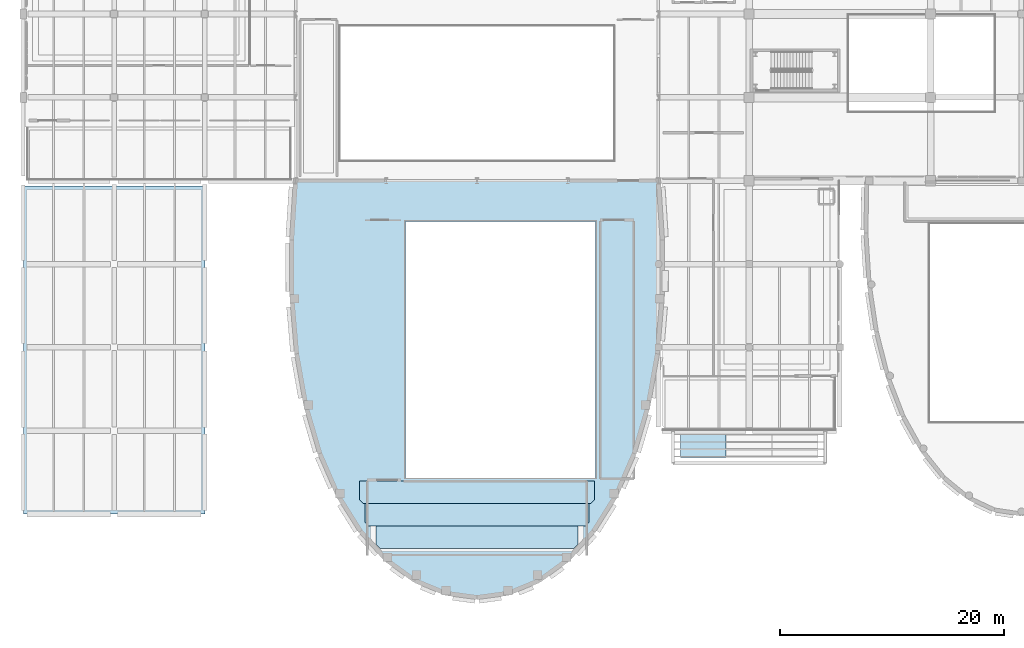
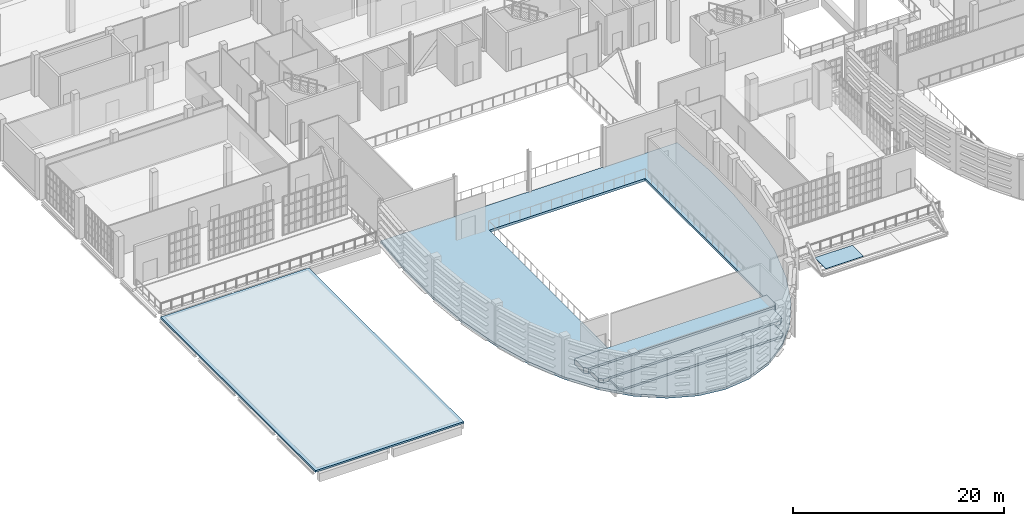
# One storey, part 67 of 104: 5 slabs, 1 plate.
"""IFC4 building model written with IfcOpenShell, lengths in metres."""

from ifc_helpers import new_model, si_unit, direction, frame, origin, origin_2d, place, context, subcontext, project, spatial, polyline, rectangle, outline, extrude, material, layer, layer_set, type_object, element, save


model = new_model("IFC4")

# Units and contexts
model_context = context("Model", 3, precision=1e-05, world=origin(), true_north=direction((0.0, 1.0)))
body_context = subcontext(model_context, "Body", "Model", "MODEL_VIEW")
ifc_project = project(units=[si_unit("LENGTHUNIT", "METRE"), si_unit("AREAUNIT", "SQUARE_METRE"), si_unit("VOLUMEUNIT", "CUBIC_METRE"), si_unit("PLANEANGLEUNIT", "RADIAN"), si_unit("MASSUNIT", "GRAM", prefix="KILO")], contexts=[model_context])

# Site, building, storey
site_placement = place(None, origin())
site = spatial("IfcSite", under=ifc_project, at=site_placement, CompositionType="ELEMENT")
building_placement = place(site_placement, origin())
building = spatial("IfcBuilding", under=site, at=building_placement, Name="Kaelora Sail Theatre", CompositionType="ELEMENT")
storey_placement = place(building_placement, frame((0.0, 0.0, 5.39990234375)))
storey = spatial("IfcBuildingStorey", under=building, at=storey_placement, Name="L01", CompositionType="ELEMENT", Elevation=5.39990234375)

# Plate
ifc_material_1 = material(Name="Laminated solar-control skylight glass", Category="glass")
ifc_layer_1 = layer(ifc_material_1, 0.035888671875)
ifc_layer_set_1 = layer_set([ifc_layer_1], Name="Laminated solar-control skylight glass")
plate_type = type_object("IfcPlateType", Name="ARC-PL-SKL-GLS-36", PredefinedType="USERDEFINED", material=ifc_layer_set_1)
plate_placement = place(storey_placement, frame((62.199951171875, 37.35009765625, -0.294921875), z_axis=(0.0, 0.0, 1.0), x_axis=(1.0, 0.0, 0.0)))
element("IfcPlate", 1, at=plate_placement, inside=storey, type_object=plate_type, Name="Grand Foyer Entrance Canopy Laminated Glass 1", ObjectType="SKYLIGHT PANEL", PredefinedType="USERDEFINED", context=body_context, shape_type="SweptSolid", body=[
    extrude(rectangle(XDim=4.10009765625, YDim=2.10009765625, at=origin_2d()), origin(), (0.0, 0.0, 1.0), 0.035888671875),
])

# Slabs
ifc_material_2 = material(Name="Concrete C40/50", Category="concrete")
ifc_layer_2 = layer(ifc_material_2, 0.280029296875)
ifc_layer_set_2 = layer_set([ifc_layer_2], Name="Concrete C40/50")
slab_type_1 = type_object("IfcSlabType", Name="STR-SLB-SL-FL280", PredefinedType="FLOOR", material=ifc_layer_set_2)
slab_1_placement = place(storey_placement, frame((0.0, 0.0, -0.27978515625)))
element("IfcSlab", 2, at=slab_1_placement, inside=storey, type_object=slab_type_1, Name="Main Theatre floor slab (L01)", PredefinedType="FLOOR", context=body_context, shape_type="SweptSolid", body=[
    extrude(outline(polyline([(58.199951171875, 61.02001953125), (58.542236328125, 55.725830078125), (58.516845703125, 50.53955078125), (58.096435546875, 45.566650390625), (57.265625, 40.908203125), (56.02490234375, 36.6591796875), (54.390380859375, 32.906005859375), (52.395751953125, 29.725341796875), (50.090087890625, 27.181640625), (47.537109375, 25.326904296875), (44.8125, 24.198486328125), (42.0, 23.820068359375), (39.1875, 24.198486328125), (36.462890625, 25.326904296875), (33.909912109375, 27.181640625), (31.604248046875, 29.725341796875), (29.609619140625, 32.906005859375), (27.97509765625, 36.6591796875), (26.734375, 40.908203125), (25.903564453125, 45.566650390625), (25.483154296875, 50.53955078125), (25.457763671875, 55.725830078125), (25.800048828125, 61.02001953125), (58.199951171875, 61.02001953125)]), holes=[polyline([(35.60009765625, 34.5), (52.60009765625, 34.5), (52.60009765625, 57.39990234375), (35.60009765625, 57.39990234375), (35.60009765625, 34.5)])]), origin(), (0.0, 0.0, 1.0), 0.27978515625),
])
ifc_material_3 = material(Name="Concrete C40/50", Category="concrete")
ifc_layer_3 = layer(ifc_material_3, 0.195068359375)
ifc_layer_set_3 = layer_set([ifc_layer_3], Name="Concrete C40/50")
slab_type_2 = type_object("IfcSlabType", Name="STR-SLB-SL-RF195", PredefinedType="ROOF", material=ifc_layer_set_3)
slab_2_placement = place(storey_placement, frame((0.0, 0.0, -0.19482421875)))
element("IfcSlab", 3, at=slab_2_placement, inside=storey, type_object=slab_type_2, Name="Flat wing roof slab RF-COL-WEST", PredefinedType="ROOF", context=body_context, shape_type="SweptSolid", body=[
    extrude(outline(polyline([(1.5, 60.550048828125), (17.699951171875, 60.550048828125), (17.699951171875, 31.260009765625), (1.5, 31.260009765625), (1.5, 60.550048828125)])), origin(), (0.0, 0.0, 1.0), 0.19482421875),
])
ifc_material_4 = material(Name="Precast concrete C45/55", Category="concrete")
ifc_layer_4 = layer(ifc_material_4, 0.159912109375)
ifc_layer_set_4 = layer_set([ifc_layer_4], Name="Precast concrete C45/55")
slab_type_3 = type_object("IfcSlabType", Name="STR-SLB-SL-ST160", PredefinedType="USERDEFINED", material=ifc_layer_set_4)
slab_3_placement = place(storey_placement, origin())
element("IfcSlab", 4, at=slab_3_placement, inside=storey, type_object=slab_type_3, Name="Auditorium seating tier ST-M07", ObjectType="SEATING TIER", PredefinedType="USERDEFINED", context=body_context, shape_type="SweptSolid", body=[
    extrude(outline(polyline([(33.35009765625, 28.199951171875), (50.64990234375, 28.199951171875), (51.0, 28.550048828125), (51.0, 30.199951171875), (33.0, 30.199951171875), (33.0, 28.550048828125), (33.35009765625, 28.199951171875)])), origin(), (0.0, 0.0, 1.0), 0.22021484375),
])
slab_4_placement = place(storey_placement, origin())
element("IfcSlab", 5, at=slab_4_placement, inside=storey, type_object=slab_type_3, Name="Auditorium seating tier ST-M08", ObjectType="SEATING TIER", PredefinedType="USERDEFINED", context=body_context, shape_type="SweptSolid", body=[
    extrude(outline(polyline([(32.35009765625, 30.199951171875), (51.64990234375, 30.199951171875), (52.0, 30.550048828125), (52.0, 32.199951171875), (32.0, 32.199951171875), (32.0, 30.550048828125), (32.35009765625, 30.199951171875)])), origin(), (0.0, 0.0, 1.0), 0.440185546875),
])
slab_5_placement = place(storey_placement, origin())
element("IfcSlab", 6, at=slab_5_placement, inside=storey, type_object=slab_type_3, Name="Auditorium seating tier ST-M09", ObjectType="SEATING TIER", PredefinedType="USERDEFINED", context=body_context, shape_type="SweptSolid", body=[
    extrude(outline(polyline([(31.85009765625, 32.199951171875), (52.14990234375, 32.199951171875), (52.5, 32.550048828125), (52.5, 34.199951171875), (31.5, 34.199951171875), (31.5, 32.550048828125), (31.85009765625, 32.199951171875)])), origin(), (0.0, 0.0, 1.0), 0.66015625),
])

save(model, "model.ifc")
